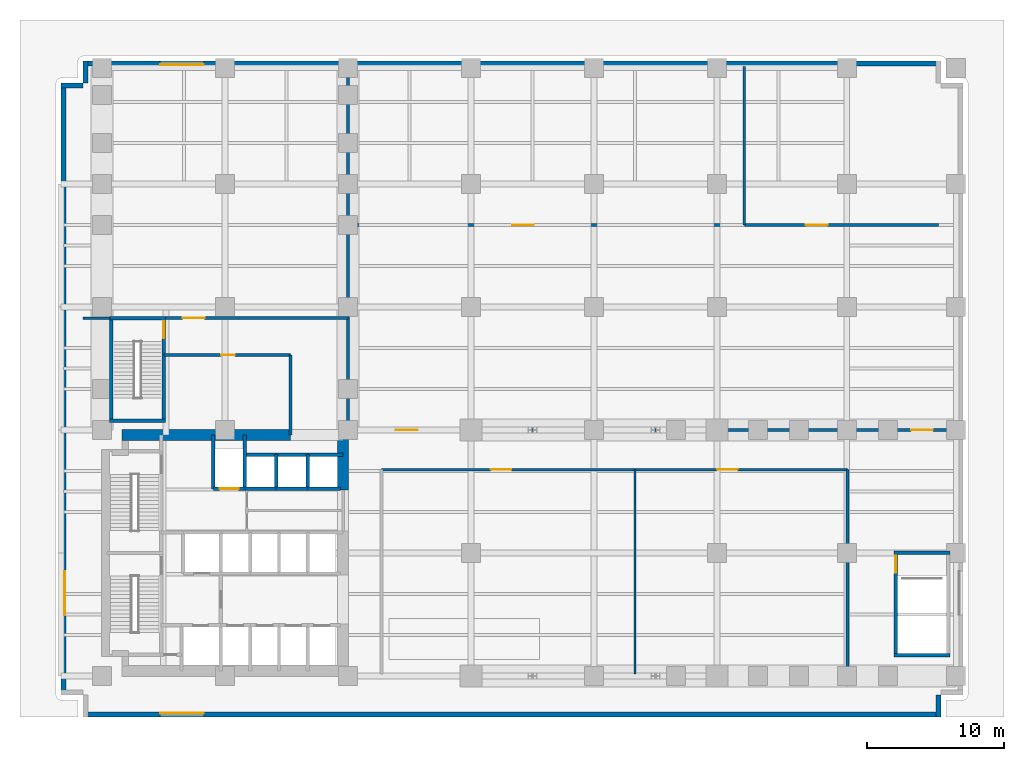
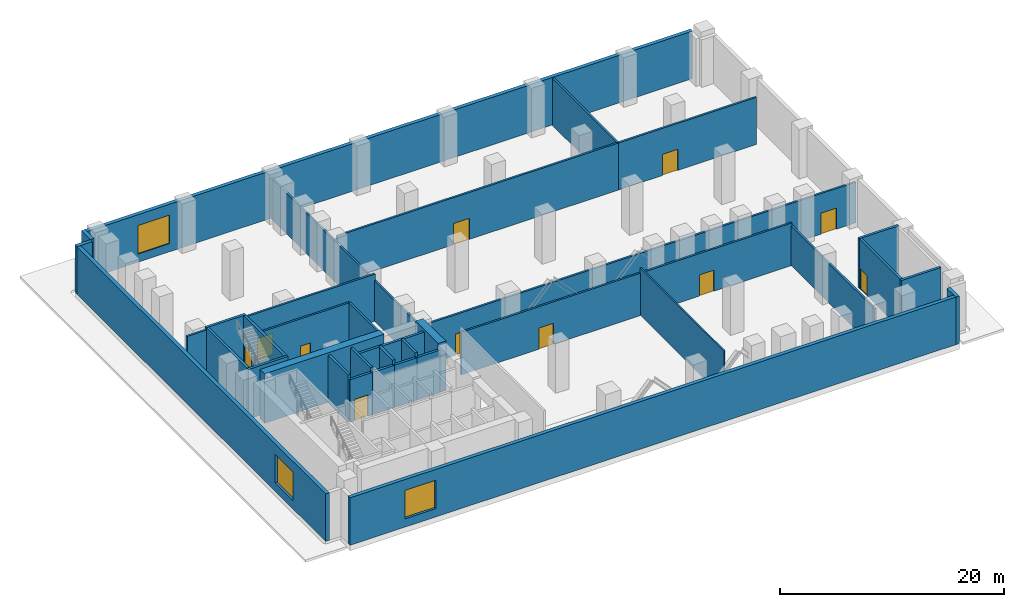
# One storey, part 6 of 8: 37 walls, 11 doors, 3 windows, 14 openings.
"""IFC4 building model written with IfcOpenShell, lengths in metres."""

from ifc_helpers import new_model, si_unit, direction, frame, frame_2d, origin, place, context, subcontext, project, spatial, rectangle, extrude, material, layer, layer_set, type_object, element, fill, save


model = new_model("IFC4")

# Units and contexts
model_context = context("Model", 3, precision=1e-05, world=origin(), true_north=direction((0.0, 1.0)))
body_context = subcontext(model_context, "Body", "Model", "MODEL_VIEW")
ifc_project = project(units=[si_unit("LENGTHUNIT", "METRE"), si_unit("AREAUNIT", "SQUARE_METRE"), si_unit("VOLUMEUNIT", "CUBIC_METRE"), si_unit("PLANEANGLEUNIT", "RADIAN"), si_unit("MASSUNIT", "GRAM", prefix="KILO")], contexts=[model_context])

# Site, building, storey
site_placement = place(None, origin())
site = spatial("IfcSite", under=ifc_project, at=site_placement, CompositionType="ELEMENT")
building_placement = place(site_placement, origin())
building = spatial("IfcBuilding", under=site, at=building_placement, Name="Mawjdan Bourse Tower", CompositionType="ELEMENT")
storey_placement = place(building_placement, frame((0.0, 0.0, 16.199951171875)))
storey = spatial("IfcBuildingStorey", under=building, at=storey_placement, Name="L03", CompositionType="ELEMENT", Elevation=16.199951171875)

# Wall, opening, window
ifc_material_1 = material(Name="Brick Masonry Terracotta Red", Category="masonry")
ifc_layer_1 = layer(ifc_material_1, 0.3798828125)
ifc_layer_set_1 = layer_set([ifc_layer_1], Name="Brick Masonry Terracotta Red")
wall_type_1 = type_object("IfcWallType", Name="WL-BRK-RED-380", PredefinedType="STANDARD", material=ifc_layer_set_1)
wall_1_placement = place(storey_placement, frame((4.60009765625, 0.18994140625, 0.0), z_axis=(0.0, 0.0, 1.0), x_axis=(1.0, 0.0, 0.0)))
wall_1 = element("IfcWall", 1, at=wall_1_placement, inside=storey, type_object=wall_type_1, Name="L03 Colocation Brick Wall 1", PredefinedType="STANDARD", context=body_context, shape_type="SweptSolid", body=[
    extrude(rectangle(XDim=62.7998046875, YDim=0.3798828125, at=frame_2d((31.39990234375, 0.0))), origin(), (0.0, 0.0, 1.0), 5.179931640625),
])
opening_1_placement = place(wall_1_placement, frame((5.646240234375, 0.0, 0.89990234375)))
opening_1 = element("IfcOpeningElement", 2, at=opening_1_placement, cuts=wall_1, Name="Opening W-L03-01", PredefinedType="OPENING", context=body_context, shape_type="SweptSolid", body=[
    extrude(rectangle(XDim=3.199951171875, YDim=3.10009765625, at=frame_2d((1.60009765625, 1.550048828125))), frame((0.0, 0.199951171875, 0.0), z_axis=(0.0, -1.0, 0.0), x_axis=(1.0, 0.0, 0.0)), (0.0, 0.0, 1.0), 0.39990234375),
])
ifc_material_2 = material(Name="Solar-Control Clear Double Glazing", Category="glass")
window_type = type_object("IfcWindowType", Name="WN-POD-3200", PartitioningType="SINGLE_PANEL", PredefinedType="WINDOW", material=ifc_material_2)
window_1_placement = place(opening_1_placement, origin())
window_1 = element("IfcWindow", 3, at=window_1_placement, inside=storey, type_object=window_type, Name="L03 Deep-Set Masonry Window W-L03-01", OverallHeight=3.10009765625, OverallWidth=3.199951171875, PartitioningType="SINGLE_PANEL", PredefinedType="WINDOW", context=body_context, shape_type="SweptSolid", body=[
    extrude(rectangle(XDim=3.199951171875, YDim=3.10009765625, at=frame_2d((1.60009765625, 1.550048828125))), frame((0.0, 0.110107421875, 0.0), z_axis=(0.0, -1.0, 0.0), x_axis=(1.0, 0.0, 0.0)), (0.0, 0.0, 1.0), 0.06005859375),
])
fill(opening_1, window_1)

# Wall
wall_2_placement = place(storey_placement, frame((67.2099609375, 0.0, 0.0), z_axis=(0.0, 0.0, 1.0), x_axis=(0.0, 1.0, 0.0)))
element("IfcWall", 4, at=wall_2_placement, inside=storey, type_object=wall_type_1, Name="L03 Colocation Brick Wall 2", PredefinedType="STANDARD", context=body_context, shape_type="SweptSolid", body=[
    extrude(rectangle(XDim=1.60009765625, YDim=0.3798828125, at=frame_2d((0.800048828125, 0.0))), origin(), (0.0, 0.0, 1.0), 5.179931640625),
])

# Wall, opening, window
wall_3_placement = place(storey_placement, frame((67.39990234375, 47.81005859375, 0.0), z_axis=(0.0, 0.0, 1.0), x_axis=(-1.0, 0.0, 0.0)))
wall_3 = element("IfcWall", 5, at=wall_3_placement, inside=storey, type_object=wall_type_1, Name="L03 Colocation Brick Wall 7", PredefinedType="STANDARD", context=body_context, shape_type="SweptSolid", body=[
    extrude(rectangle(XDim=62.7998046875, YDim=0.3798828125, at=frame_2d((31.39990234375, 0.0))), origin(), (0.0, 0.0, 1.0), 5.179931640625),
])
opening_2_placement = place(wall_3_placement, frame((53.953857421875, 0.0, 0.89990234375)))
opening_2 = element("IfcOpeningElement", 6, at=opening_2_placement, cuts=wall_3, Name="Opening W-L03-03", PredefinedType="OPENING", context=body_context, shape_type="SweptSolid", body=[
    extrude(rectangle(XDim=3.199951171875, YDim=3.10009765625, at=frame_2d((1.60009765625, 1.550048828125))), frame((0.0, 0.199951171875, 0.0), z_axis=(0.0, -1.0, 0.0), x_axis=(1.0, 0.0, 0.0)), (0.0, 0.0, 1.0), 0.39990234375),
])
window_2_placement = place(opening_2_placement, origin())
window_2 = element("IfcWindow", 7, at=window_2_placement, inside=storey, type_object=window_type, Name="L03 Deep-Set Masonry Window W-L03-03", OverallHeight=3.10009765625, OverallWidth=3.199951171875, PartitioningType="SINGLE_PANEL", PredefinedType="WINDOW", context=body_context, shape_type="SweptSolid", body=[
    extrude(rectangle(XDim=3.199951171875, YDim=3.10009765625, at=frame_2d((1.60009765625, 1.550048828125))), frame((0.0, 0.110107421875, 0.0), z_axis=(0.0, -1.0, 0.0), x_axis=(1.0, 0.0, 0.0)), (0.0, 0.0, 1.0), 0.06005859375),
])
fill(opening_2, window_2)

# Walls
for number, where, z_axis, x_axis, name in (
    (8, (4.7900390625, 48.0, 0.0), (0.0, 0.0, 1.0), (0.0, -1.0, 0.0), "L03 Colocation Brick Wall 8"),
    (9, (4.60009765625, 46.2099609375, 0.0), (0.0, 0.0, 1.0), (-1.0, 0.0, 0.0), "L03 Colocation Brick Wall 9"),
):
    element("IfcWall", number, at=place(storey_placement, frame(where, z_axis=z_axis, x_axis=x_axis)), inside=storey, type_object=wall_type_1, Name=name, PredefinedType="STANDARD", context=body_context, shape_type="SweptSolid", body=[
        extrude(rectangle(XDim=1.60009765625, YDim=0.3798828125, at=frame_2d((0.800048828125, 0.0))), origin(), (0.0, 0.0, 1.0), 5.179931640625),
    ])

# Wall, opening, window
wall_4_placement = place(storey_placement, frame((3.18994140625, 46.39990234375, 0.0), z_axis=(0.0, 0.0, 1.0), x_axis=(0.0, -1.0, 0.0)))
wall_4 = element("IfcWall", 10, at=wall_4_placement, inside=storey, type_object=wall_type_1, Name="L03 Colocation Brick Wall 10", PredefinedType="STANDARD", context=body_context, shape_type="SweptSolid", body=[
    extrude(rectangle(XDim=44.7998046875, YDim=0.3798828125, at=frame_2d((22.39990234375, 0.0))), origin(), (0.0, 0.0, 1.0), 5.179931640625),
])
opening_3_placement = place(wall_4_placement, frame((35.7333984375, 0.0, 0.89990234375)))
opening_3 = element("IfcOpeningElement", 11, at=opening_3_placement, cuts=wall_4, Name="Opening W-L03-04", PredefinedType="OPENING", context=body_context, shape_type="SweptSolid", body=[
    extrude(rectangle(XDim=3.199951171875, YDim=3.10009765625, at=frame_2d((1.60009765625, 1.550048828125))), frame((0.0, 0.199951171875, 0.0), z_axis=(0.0, -1.0, 0.0), x_axis=(1.0, 0.0, 0.0)), (0.0, 0.0, 1.0), 0.39990234375),
])
window_3_placement = place(opening_3_placement, origin())
window_3 = element("IfcWindow", 12, at=window_3_placement, inside=storey, type_object=window_type, Name="L03 Deep-Set Masonry Window W-L03-04", OverallHeight=3.10009765625, OverallWidth=3.199951171875, PartitioningType="SINGLE_PANEL", PredefinedType="WINDOW", context=body_context, shape_type="SweptSolid", body=[
    extrude(rectangle(XDim=3.199951171875, YDim=3.10009765625, at=frame_2d((1.60009765625, 1.550048828125))), frame((0.0, 0.110107421875, 0.0), z_axis=(0.0, -1.0, 0.0), x_axis=(1.0, 0.0, 0.0)), (0.0, 0.0, 1.0), 0.06005859375),
])
fill(opening_3, window_3)

# Wall, openings, doors
ifc_material_3 = material(Name="Gypsum Fireboard Assembly")
ifc_layer_2 = layer(ifc_material_3, 0.199951171875)
ifc_layer_set_2 = layer_set([ifc_layer_2], Name="Gypsum Fireboard Assembly")
wall_type_2 = type_object("IfcWallType", Name="WL-CMP-200", PredefinedType="PARTITIONING", material=ifc_layer_set_2)
wall_5_placement = place(storey_placement, frame((24.0, 21.0, 0.0), z_axis=(0.0, 0.0, 1.0), x_axis=(1.0, 0.0, 0.0)))
wall_5 = element("IfcWall", 13, at=wall_5_placement, inside=storey, type_object=wall_type_2, Name="L03 L03 Transfer Truss & Colocation South Firewall", PredefinedType="PARTITIONING", context=body_context, shape_type="SweptSolid", body=[
    extrude(rectangle(XDim=44.7900390625, YDim=0.199951171875, at=frame_2d((22.39501953125, 0.0))), origin(), (0.0, 0.0, 1.0), 4.43408203125),
])
opening_4_placement = place(wall_5_placement, frame((3.5, 0.0, 0.0)))
opening_4 = element("IfcOpeningElement", 14, at=opening_4_placement, cuts=wall_5, Name="Opening CD-L03-18", PredefinedType="OPENING", context=body_context, shape_type="SweptSolid", body=[
    extrude(rectangle(XDim=1.60009765625, YDim=2.300048828125, at=frame_2d((0.800048828125, 1.14990234375))), frame((0.0, 0.10986328125, 0.0), z_axis=(0.0, -1.0, 0.0), x_axis=(1.0, 0.0, 0.0)), (0.0, 0.0, 1.0), 0.219970703125),
])
opening_5_placement = place(wall_5_placement, frame((41.199951171875, 0.0, 0.0)))
opening_5 = element("IfcOpeningElement", 15, at=opening_5_placement, cuts=wall_5, Name="Opening CD-L03-19", PredefinedType="OPENING", context=body_context, shape_type="SweptSolid", body=[
    extrude(rectangle(XDim=1.60009765625, YDim=2.300048828125, at=frame_2d((0.800048828125, 1.14990234375))), frame((0.0, 0.10986328125, 0.0), z_axis=(0.0, -1.0, 0.0), x_axis=(1.0, 0.0, 0.0)), (0.0, 0.0, 1.0), 0.219970703125),
])
ifc_material_4 = material(Name="Fire-Rated Acoustic Steel", Category="steel")
door_type_1 = type_object("IfcDoorType", Name="FD-PLT-1600", OperationType="DOUBLE_DOOR_SINGLE_SWING", PredefinedType="DOOR", material=ifc_material_4)
door_1_placement = place(opening_4_placement, origin())
door_1 = element("IfcDoor", 16, at=door_1_placement, inside=storey, type_object=door_type_1, Name="L03 Colocation Data Hall Door 1 CD-L03-18", OperationType="DOUBLE_DOOR_SINGLE_SWING", OverallHeight=2.300048828125, OverallWidth=1.60009765625, PredefinedType="DOOR", context=body_context, shape_type="SweptSolid", body=[
    extrude(rectangle(XDim=1.60009765625, YDim=2.300048828125, at=frame_2d((0.800048828125, 1.14990234375))), frame((0.0, 0.02490234375, 0.0), z_axis=(0.0, -1.0, 0.0), x_axis=(1.0, 0.0, 0.0)), (0.0, 0.0, 1.0), 0.050048828125),
])
fill(opening_4, door_1)
door_2_placement = place(opening_5_placement, origin())
door_2 = element("IfcDoor", 17, at=door_2_placement, inside=storey, type_object=door_type_1, Name="L03 Colocation Data Hall Door 2 CD-L03-19", OperationType="DOUBLE_DOOR_SINGLE_SWING", OverallHeight=2.300048828125, OverallWidth=1.60009765625, PredefinedType="DOOR", context=body_context, shape_type="SweptSolid", body=[
    extrude(rectangle(XDim=1.60009765625, YDim=2.300048828125, at=frame_2d((0.800048828125, 1.14990234375))), frame((0.0, 0.02490234375, 0.0), z_axis=(0.0, -1.0, 0.0), x_axis=(1.0, 0.0, 0.0)), (0.0, 0.0, 1.0), 0.050048828125),
])
fill(opening_5, door_2)

# Walls
wall_6_placement = place(storey_placement, frame((24.0, 21.0, 0.0), z_axis=(0.0, 0.0, 1.0), x_axis=(0.0, 1.0, 0.0)))
element("IfcWall", 18, at=wall_6_placement, inside=storey, type_object=wall_type_2, Name="L03 L03 West Wing Dividing Firewall", PredefinedType="PARTITIONING", context=body_context, shape_type="SweptSolid", body=[
    extrude(rectangle(XDim=26.580078125, YDim=0.199951171875, at=frame_2d((13.2900390625, 0.0))), origin(), (0.0, 0.0, 1.0), 4.43408203125),
])
wall_7_placement = place(storey_placement, frame((53.0, 36.0, 0.0), z_axis=(0.0, 0.0, 1.0), x_axis=(0.0, 1.0, 0.0)))
element("IfcWall", 19, at=wall_7_placement, inside=storey, type_object=wall_type_2, Name="L03 UPS Split Firewall", PredefinedType="PARTITIONING", context=body_context, shape_type="SweptSolid", body=[
    extrude(rectangle(XDim=11.580078125, YDim=0.199951171875, at=frame_2d((5.7900390625, 0.0))), origin(), (0.0, 0.0, 1.0), 5.130126953125),
])

# Wall, opening, door
wall_8_placement = place(storey_placement, frame((24.0, 36.0, 0.0), z_axis=(0.0, 0.0, 1.0), x_axis=(1.0, 0.0, 0.0)))
wall_8 = element("IfcWall", 20, at=wall_8_placement, inside=storey, type_object=wall_type_2, Name="L03 DR Hall South Wall", PredefinedType="PARTITIONING", context=body_context, shape_type="SweptSolid", body=[
    extrude(rectangle(XDim=29.0, YDim=0.199951171875, at=frame_2d((14.5, 0.0))), origin(), (0.0, 0.0, 1.0), 5.130126953125),
])
opening_6_placement = place(wall_8_placement, frame((12.0, 0.0, 0.0)))
opening_6 = element("IfcOpeningElement", 21, at=opening_6_placement, cuts=wall_8, Name="Opening CD-L03-20", PredefinedType="OPENING", context=body_context, shape_type="SweptSolid", body=[
    extrude(rectangle(XDim=1.60009765625, YDim=2.300048828125, at=frame_2d((0.800048828125, 1.14990234375))), frame((0.0, 0.10986328125, 0.0), z_axis=(0.0, -1.0, 0.0), x_axis=(1.0, 0.0, 0.0)), (0.0, 0.0, 1.0), 0.219970703125),
])
door_3_placement = place(opening_6_placement, origin())
door_3 = element("IfcDoor", 22, at=door_3_placement, inside=storey, type_object=door_type_1, Name="L03 DR Server Hall Door CD-L03-20", OperationType="DOUBLE_DOOR_SINGLE_SWING", OverallHeight=2.300048828125, OverallWidth=1.60009765625, PredefinedType="DOOR", context=body_context, shape_type="SweptSolid", body=[
    extrude(rectangle(XDim=1.60009765625, YDim=2.300048828125, at=frame_2d((0.800048828125, 1.14990234375))), frame((0.0, 0.02490234375, 0.0), z_axis=(0.0, -1.0, 0.0), x_axis=(1.0, 0.0, 0.0)), (0.0, 0.0, 1.0), 0.050048828125),
])
fill(opening_6, door_3)

wall_9_placement = place(storey_placement, frame((53.0, 36.0, 0.0), z_axis=(0.0, 0.0, 1.0), x_axis=(1.0, 0.0, 0.0)))
wall_9 = element("IfcWall", 23, at=wall_9_placement, inside=storey, type_object=wall_type_2, Name="L03 UPS South Wall", PredefinedType="PARTITIONING", context=body_context, shape_type="SweptSolid", body=[
    extrude(rectangle(XDim=14.199951171875, YDim=0.199951171875, at=frame_2d((7.10009765625, 0.0))), origin(), (0.0, 0.0, 1.0), 5.130126953125),
])
opening_7_placement = place(wall_9_placement, frame((4.5, 0.0, 0.0)))
opening_7 = element("IfcOpeningElement", 24, at=opening_7_placement, cuts=wall_9, Name="Opening CD-L03-21", PredefinedType="OPENING", context=body_context, shape_type="SweptSolid", body=[
    extrude(rectangle(XDim=1.60009765625, YDim=2.300048828125, at=frame_2d((0.800048828125, 1.14990234375))), frame((0.0, 0.10986328125, 0.0), z_axis=(0.0, -1.0, 0.0), x_axis=(1.0, 0.0, 0.0)), (0.0, 0.0, 1.0), 0.219970703125),
])
door_4_placement = place(opening_7_placement, origin())
door_4 = element("IfcDoor", 25, at=door_4_placement, inside=storey, type_object=door_type_1, Name="L03 UPS Plant Door CD-L03-21", OperationType="DOUBLE_DOOR_SINGLE_SWING", OverallHeight=2.300048828125, OverallWidth=1.60009765625, PredefinedType="DOOR", context=body_context, shape_type="SweptSolid", body=[
    extrude(rectangle(XDim=1.60009765625, YDim=2.300048828125, at=frame_2d((0.800048828125, 1.14990234375))), frame((0.0, 0.02490234375, 0.0), z_axis=(0.0, -1.0, 0.0), x_axis=(1.0, 0.0, 0.0)), (0.0, 0.0, 1.0), 0.050048828125),
])
fill(opening_7, door_4)

# Wall
wall_10_placement = place(storey_placement, frame((60.550048828125, 3.14990234375, 0.0), z_axis=(0.0, 0.0, 1.0), x_axis=(0.0, 1.0, 0.0)))
element("IfcWall", 26, at=wall_10_placement, inside=storey, type_object=wall_type_2, Name="L03 NOC East ST6 Corridor Wall", PredefinedType="PARTITIONING", context=body_context, shape_type="SweptSolid", body=[
    extrude(rectangle(XDim=14.9501953125, YDim=0.199951171875, at=frame_2d((7.47509765625, 0.0))), origin(), (0.0, 0.0, 1.0), 4.31396484375),
])

# Wall, opening, door
wall_11_placement = place(storey_placement, frame((26.449951171875, 18.10009765625, 0.0), z_axis=(0.0, 0.0, 1.0), x_axis=(1.0, 0.0, 0.0)))
wall_11 = element("IfcWall", 27, at=wall_11_placement, inside=storey, type_object=wall_type_2, Name="L03 Surveillance North Wall", PredefinedType="PARTITIONING", context=body_context, shape_type="SweptSolid", body=[
    extrude(rectangle(XDim=18.550048828125, YDim=0.199951171875, at=frame_2d((9.27490234375, 0.0))), origin(), (0.0, 0.0, 1.0), 4.6259765625),
])
opening_8_placement = place(wall_11_placement, frame((8.0, 0.0, 0.0)))
opening_8 = element("IfcOpeningElement", 28, at=opening_8_placement, cuts=wall_11, Name="Opening D-L03-22", PredefinedType="OPENING", context=body_context, shape_type="SweptSolid", body=[
    extrude(rectangle(XDim=1.5, YDim=2.300048828125, at=frame_2d((0.75, 1.14990234375))), frame((0.0, 0.10986328125, 0.0), z_axis=(0.0, -1.0, 0.0), x_axis=(1.0, 0.0, 0.0)), (0.0, 0.0, 1.0), 0.219970703125),
])
ifc_material_5 = material(Name="Acoustic Glazed Timber", Category="wood")
door_type_2 = type_object("IfcDoorType", Name="DR-CNF-1500", OperationType="DOUBLE_DOOR_SINGLE_SWING", PredefinedType="DOOR", material=ifc_material_5)
door_5_placement = place(opening_8_placement, origin())
door_5 = element("IfcDoor", 29, at=door_5_placement, inside=storey, type_object=door_type_2, Name="L03 Surveillance Centre Door D-L03-22", OperationType="DOUBLE_DOOR_SINGLE_SWING", OverallHeight=2.300048828125, OverallWidth=1.5, PredefinedType="DOOR", context=body_context, shape_type="SweptSolid", body=[
    extrude(rectangle(XDim=1.5, YDim=2.300048828125, at=frame_2d((0.75, 1.14990234375))), frame((0.0, 0.02490234375, 0.0), z_axis=(0.0, -1.0, 0.0), x_axis=(1.0, 0.0, 0.0)), (0.0, 0.0, 1.0), 0.050048828125),
])
fill(opening_8, door_5)

wall_12_placement = place(storey_placement, frame((45.0, 18.10009765625, 0.0), z_axis=(0.0, 0.0, 1.0), x_axis=(1.0, 0.0, 0.0)))
wall_12 = element("IfcWall", 30, at=wall_12_placement, inside=storey, type_object=wall_type_2, Name="L03 NOC North Wall", PredefinedType="PARTITIONING", context=body_context, shape_type="SweptSolid", body=[
    extrude(rectangle(XDim=15.550048828125, YDim=0.199951171875, at=frame_2d((7.77490234375, 0.0))), origin(), (0.0, 0.0, 1.0), 4.6259765625),
])
opening_9_placement = place(wall_12_placement, frame((6.0, 0.0, 0.0)))
opening_9 = element("IfcOpeningElement", 31, at=opening_9_placement, cuts=wall_12, Name="Opening D-L03-23", PredefinedType="OPENING", context=body_context, shape_type="SweptSolid", body=[
    extrude(rectangle(XDim=1.5, YDim=2.300048828125, at=frame_2d((0.75, 1.14990234375))), frame((0.0, 0.10986328125, 0.0), z_axis=(0.0, -1.0, 0.0), x_axis=(1.0, 0.0, 0.0)), (0.0, 0.0, 1.0), 0.219970703125),
])
door_6_placement = place(opening_9_placement, origin())
door_6 = element("IfcDoor", 32, at=door_6_placement, inside=storey, type_object=door_type_2, Name="L03 NOC Suite Door D-L03-23", OperationType="DOUBLE_DOOR_SINGLE_SWING", OverallHeight=2.300048828125, OverallWidth=1.5, PredefinedType="DOOR", context=body_context, shape_type="SweptSolid", body=[
    extrude(rectangle(XDim=1.5, YDim=2.300048828125, at=frame_2d((0.75, 1.14990234375))), frame((0.0, 0.02490234375, 0.0), z_axis=(0.0, -1.0, 0.0), x_axis=(1.0, 0.0, 0.0)), (0.0, 0.0, 1.0), 0.050048828125),
])
fill(opening_9, door_6)

wall_13_placement = place(storey_placement, frame((10.52001953125, 26.47998046875, 0.0), z_axis=(0.0, 0.0, 1.0), x_axis=(1.0, 0.0, 0.0)))
wall_13 = element("IfcWall", 33, at=wall_13_placement, inside=storey, type_object=wall_type_2, Name="L03 Network Operations Control North Wall", PredefinedType="PARTITIONING", context=body_context, shape_type="SweptSolid", body=[
    extrude(rectangle(XDim=9.280029296875, YDim=0.199951171875, at=frame_2d((4.64013671875, 0.0))), origin(), (0.0, 0.0, 1.0), 5.130126953125),
])
opening_10_placement = place(wall_13_placement, frame((4.199951171875, 0.0, 0.0)))
opening_10 = element("IfcOpeningElement", 34, at=opening_10_placement, cuts=wall_13, Name="Opening D-L03-24", PredefinedType="OPENING", context=body_context, shape_type="SweptSolid", body=[
    extrude(rectangle(XDim=1.0, YDim=2.14990234375, at=frame_2d((0.5, 1.074951171875))), frame((0.0, 0.10986328125, 0.0), z_axis=(0.0, -1.0, 0.0), x_axis=(1.0, 0.0, 0.0)), (0.0, 0.0, 1.0), 0.219970703125),
])
ifc_material_6 = material(Name="Hardwood Acoustic Leaf", Category="wood")
door_type_3 = type_object("IfcDoorType", Name="DR-OFC-1000", OperationType="NOTDEFINED", PredefinedType="DOOR", material=ifc_material_6)
door_7_placement = place(opening_10_placement, origin())
door_7 = element("IfcDoor", 35, at=door_7_placement, inside=storey, type_object=door_type_3, Name="L03 Network Operations Control Office Door D-L03-24", OperationType="SINGLE_SWING_RIGHT", OverallHeight=2.14990234375, OverallWidth=1.0, PredefinedType="DOOR", context=body_context, shape_type="SweptSolid", body=[
    extrude(rectangle(XDim=1.0, YDim=2.14990234375, at=frame_2d((0.5, 1.074951171875))), frame((0.0, 0.02490234375, 0.0), z_axis=(0.0, -1.0, 0.0), x_axis=(1.0, 0.0, 0.0)), (0.0, 0.0, 1.0), 0.050048828125),
])
fill(opening_10, door_7)

# Walls
wall_14_placement = place(storey_placement, frame((19.800048828125, 20.64990234375, 0.0), z_axis=(0.0, 0.0, 1.0), x_axis=(0.0, 1.0, 0.0)))
element("IfcWall", 36, at=wall_14_placement, inside=storey, type_object=wall_type_2, Name="L03 Network Operations Control East Wall", PredefinedType="PARTITIONING", context=body_context, shape_type="SweptSolid", body=[
    extrude(rectangle(XDim=5.830078125, YDim=0.199951171875, at=frame_2d((2.9150390625, 0.0))), origin(), (0.0, 0.0, 1.0), 5.130126953125),
])
wall_15_placement = place(storey_placement, frame((4.60009765625, 29.179931640625, 0.0), z_axis=(0.0, 0.0, 1.0), x_axis=(1.0, 0.0, 0.0)))
element("IfcWall", 37, at=wall_15_placement, inside=storey, type_object=wall_type_2, Name="L03 Meet-Me Room South-West Wall", PredefinedType="PARTITIONING", context=body_context, shape_type="SweptSolid", body=[
    extrude(rectangle(XDim=1.969970703125, YDim=0.199951171875, at=frame_2d((0.98486328125, 0.0))), origin(), (0.0, 0.0, 1.0), 5.130126953125),
])

# Wall, opening, door
wall_16_placement = place(storey_placement, frame((10.6298828125, 29.199951171875, 0.0), z_axis=(0.0, 0.0, 1.0), x_axis=(1.0, 0.0, 0.0)))
wall_16 = element("IfcWall", 38, at=wall_16_placement, inside=storey, type_object=wall_type_2, Name="L03 Meet-Me Room South Wall", PredefinedType="PARTITIONING", context=body_context, shape_type="SweptSolid", body=[
    extrude(rectangle(XDim=13.3701171875, YDim=0.199951171875, at=frame_2d((6.68505859375, 0.0))), origin(), (0.0, 0.0, 1.0), 5.130126953125),
])
opening_11_placement = place(wall_16_placement, frame((1.27001953125, 0.0, 0.0)))
opening_11 = element("IfcOpeningElement", 39, at=opening_11_placement, cuts=wall_16, Name="Opening CD-L03-25", PredefinedType="OPENING", context=body_context, shape_type="SweptSolid", body=[
    extrude(rectangle(XDim=1.60009765625, YDim=2.300048828125, at=frame_2d((0.800048828125, 1.14990234375))), frame((0.0, 0.10986328125, 0.0), z_axis=(0.0, -1.0, 0.0), x_axis=(1.0, 0.0, 0.0)), (0.0, 0.0, 1.0), 0.219970703125),
])
door_8_placement = place(opening_11_placement, origin())
door_8 = element("IfcDoor", 40, at=door_8_placement, inside=storey, type_object=door_type_1, Name="L03 Meet-Me Room Door CD-L03-25", OperationType="DOUBLE_DOOR_SINGLE_SWING", OverallHeight=2.300048828125, OverallWidth=1.60009765625, PredefinedType="DOOR", context=body_context, shape_type="SweptSolid", body=[
    extrude(rectangle(XDim=1.60009765625, YDim=2.300048828125, at=frame_2d((0.800048828125, 1.14990234375))), frame((0.0, 0.02490234375, 0.0), z_axis=(0.0, -1.0, 0.0), x_axis=(1.0, 0.0, 0.0)), (0.0, 0.0, 1.0), 0.050048828125),
])
fill(opening_11, door_8)

# Walls
ifc_material_7 = material(Name="Concrete C80/95", Category="concrete")
ifc_layer_3 = layer(ifc_material_7, 0.800048828125)
ifc_layer_set_3 = layer_set([ifc_layer_3], Name="Concrete C80/95")
wall_type_3 = type_object("IfcWallType", Name="WL-CORE-800", PredefinedType="SHEAR", material=ifc_layer_set_3)
wall_17_placement = place(storey_placement, frame((7.47509765625, 20.64990234375, 0.0), z_axis=(0.0, 0.0, 1.0), x_axis=(1.0, 0.0, 0.0)))
element("IfcWall", 41, at=wall_17_placement, inside=storey, type_object=wall_type_3, Name="L03 Rear Core Shear Wall N", PredefinedType="SHEAR", context=body_context, shape_type="SweptSolid", body=[
    extrude(rectangle(XDim=12.324951171875, YDim=0.800048828125, at=frame_2d((6.16259765625, 0.0))), origin(), (0.0, 0.0, 1.0), 5.400146484375),
])
wall_18_placement = place(storey_placement, frame((23.64990234375, 16.60009765625, 0.0), z_axis=(0.0, 0.0, 1.0), x_axis=(0.0, 1.0, 0.0)))
element("IfcWall", 42, at=wall_18_placement, inside=storey, type_object=wall_type_3, Name="L03 Rear Core Shear Wall E3", PredefinedType="SHEAR", context=body_context, shape_type="SweptSolid", body=[
    extrude(rectangle(XDim=4.0498046875, YDim=0.800048828125, at=frame_2d((2.02490234375, 0.0))), origin(), (0.0, 0.0, 1.0), 5.400146484375),
])
ifc_material_8 = material(Name="Gypsum Acoustic Partition")
ifc_layer_4 = layer(ifc_material_8, 0.14990234375)
ifc_layer_set_4 = layer_set([ifc_layer_4], Name="Gypsum Acoustic Partition")
wall_type_4 = type_object("IfcWallType", Name="WL-PRT-150", PredefinedType="PARTITIONING", material=ifc_layer_set_4)
wall_19_placement = place(storey_placement, frame((45.0, 3.14990234375, 0.0), z_axis=(0.0, 0.0, 1.0), x_axis=(0.0, 1.0, 0.0)))
element("IfcWall", 43, at=wall_19_placement, inside=storey, type_object=wall_type_4, Name="L03 Surveillance / NOC Split Wall", PredefinedType="PARTITIONING", context=body_context, shape_type="SweptSolid", body=[
    extrude(rectangle(XDim=14.9501953125, YDim=0.14990234375, at=frame_2d((7.47509765625, 0.0))), origin(), (0.0, 0.0, 1.0), 5.130126953125),
])

# Wall, opening, door
ifc_material_9 = material(Name="Concrete C50/60", Category="concrete")
ifc_layer_5 = layer(ifc_material_9, 0.25)
ifc_layer_set_5 = layer_set([ifc_layer_5], Name="Concrete C50/60")
wall_type_5 = type_object("IfcWallType", Name="WL-SHFT-250", PredefinedType="PARTITIONING", material=ifc_layer_set_5)
wall_20_placement = place(storey_placement, frame((14.14990234375, 16.699951171875, 0.0), z_axis=(0.0, 0.0, 1.0), x_axis=(1.0, 0.0, 0.0)))
wall_20 = element("IfcWall", 44, at=wall_20_placement, inside=storey, type_object=wall_type_5, Name="L03 SVL-01 Front Shaft Wall", PredefinedType="PARTITIONING", context=body_context, shape_type="SweptSolid", body=[
    extrude(rectangle(XDim=2.300048828125, YDim=0.25, at=frame_2d((1.14990234375, 0.0))), origin(), (0.0, 0.0, 1.0), 4.6259765625),
])
opening_12_placement = place(wall_20_placement, frame((0.449951171875, 0.0, 0.0)))
opening_12 = element("IfcOpeningElement", 45, at=opening_12_placement, cuts=wall_20, Name="Opening LD-L03-09", PredefinedType="OPENING", context=body_context, shape_type="SweptSolid", body=[
    extrude(rectangle(XDim=1.39990234375, YDim=2.35009765625, at=frame_2d((0.699951171875, 1.175048828125))), frame((0.0, 0.135009765625, 0.0), z_axis=(0.0, -1.0, 0.0), x_axis=(1.0, 0.0, 0.0)), (0.0, 0.0, 1.0), 0.27001953125),
])
ifc_material_10 = material(Name="Heavy-Duty Stainless Steel", Category="steel")
door_type_4 = type_object("IfcDoorType", Name="LD-SRV-1400", OperationType="DOUBLE_DOOR_SLIDING", PredefinedType="DOOR", material=ifc_material_10)
door_9_placement = place(opening_12_placement, origin())
door_9 = element("IfcDoor", 46, at=door_9_placement, inside=storey, type_object=door_type_4, Name="L03 Service Lift SVL-01 Landing Door LD-L03-09", OperationType="DOUBLE_DOOR_SLIDING", OverallHeight=2.35009765625, OverallWidth=1.39990234375, PredefinedType="DOOR", context=body_context, shape_type="SweptSolid", body=[
    extrude(rectangle(XDim=1.39990234375, YDim=2.35009765625, at=frame_2d((0.699951171875, 1.175048828125))), frame((0.0, 0.02490234375, 0.0), z_axis=(0.0, -1.0, 0.0), x_axis=(1.0, 0.0, 0.0)), (0.0, 0.0, 1.0), 0.050048828125),
])
fill(opening_12, door_9)

# Walls
for number, where, z_axis, x_axis, name in (
    (47, (14.14990234375, 16.699951171875, 0.0), (0.0, 0.0, 1.0), (0.0, 1.0, 0.0), "L03 SVL-01 West Shaft Wall"),
    (48, (16.449951171875, 16.699951171875, 0.0), (0.0, 0.0, 1.0), (0.0, 1.0, 0.0), "L03 SVL-01 East Shaft Wall"),
):
    element("IfcWall", number, at=place(storey_placement, frame(where, z_axis=z_axis, x_axis=x_axis)), inside=storey, type_object=wall_type_5, Name=name, PredefinedType="PARTITIONING", context=body_context, shape_type="SweptSolid", body=[
        extrude(rectangle(XDim=3.949951171875, YDim=0.25, at=frame_2d((1.97509765625, 0.0))), origin(), (0.0, 0.0, 1.0), 5.130126953125),
    ])
wall_21_placement = place(storey_placement, frame((16.449951171875, 16.699951171875, 0.0), z_axis=(0.0, 0.0, 1.0), x_axis=(1.0, 0.0, 0.0)))
element("IfcWall", 49, at=wall_21_placement, inside=storey, type_object=wall_type_5, Name="L03 PH-01 Front Wall", PredefinedType="PARTITIONING", context=body_context, shape_type="SweptSolid", body=[
    extrude(rectangle(XDim=2.300048828125, YDim=0.25, at=frame_2d((1.14990234375, 0.0))), origin(), (0.0, 0.0, 1.0), 4.6259765625),
])
wall_22_placement = place(storey_placement, frame((18.75, 16.699951171875, 0.0), z_axis=(0.0, 0.0, 1.0), x_axis=(0.0, 1.0, 0.0)))
element("IfcWall", 50, at=wall_22_placement, inside=storey, type_object=wall_type_5, Name="L03 PH-01 Divider Wall", PredefinedType="PARTITIONING", context=body_context, shape_type="SweptSolid", body=[
    extrude(rectangle(XDim=2.5, YDim=0.25, at=frame_2d((1.25, 0.0))), origin(), (0.0, 0.0, 1.0), 5.130126953125),
])
wall_23_placement = place(storey_placement, frame((18.75, 16.699951171875, 0.0), z_axis=(0.0, 0.0, 1.0), x_axis=(1.0, 0.0, 0.0)))
element("IfcWall", 51, at=wall_23_placement, inside=storey, type_object=wall_type_5, Name="L03 PH-02 Front Wall", PredefinedType="PARTITIONING", context=body_context, shape_type="SweptSolid", body=[
    extrude(rectangle(XDim=2.300048828125, YDim=0.25, at=frame_2d((1.14990234375, 0.0))), origin(), (0.0, 0.0, 1.0), 4.6259765625),
])
wall_24_placement = place(storey_placement, frame((21.050048828125, 16.699951171875, 0.0), z_axis=(0.0, 0.0, 1.0), x_axis=(0.0, 1.0, 0.0)))
element("IfcWall", 52, at=wall_24_placement, inside=storey, type_object=wall_type_5, Name="L03 PH-02 Divider Wall", PredefinedType="PARTITIONING", context=body_context, shape_type="SweptSolid", body=[
    extrude(rectangle(XDim=2.5, YDim=0.25, at=frame_2d((1.25, 0.0))), origin(), (0.0, 0.0, 1.0), 5.130126953125),
])
wall_25_placement = place(storey_placement, frame((21.050048828125, 16.699951171875, 0.0), z_axis=(0.0, 0.0, 1.0), x_axis=(1.0, 0.0, 0.0)))
element("IfcWall", 53, at=wall_25_placement, inside=storey, type_object=wall_type_5, Name="L03 PH-03 Front Wall", PredefinedType="PARTITIONING", context=body_context, shape_type="SweptSolid", body=[
    extrude(rectangle(XDim=2.39990234375, YDim=0.25, at=frame_2d((1.199951171875, 0.0))), origin(), (0.0, 0.0, 1.0), 4.6259765625),
])
wall_26_placement = place(storey_placement, frame((16.449951171875, 19.199951171875, 0.0), z_axis=(0.0, 0.0, 1.0), x_axis=(1.0, 0.0, 0.0)))
element("IfcWall", 54, at=wall_26_placement, inside=storey, type_object=wall_type_5, Name="L03 PH Bank North Shaft Back Wall", PredefinedType="PARTITIONING", context=body_context, shape_type="SweptSolid", body=[
    extrude(rectangle(XDim=7.199951171875, YDim=0.25, at=frame_2d((3.60009765625, 0.0))), origin(), (0.0, 0.0, 1.0), 5.130126953125),
])
ifc_layer_6 = layer(ifc_material_9, 0.25)
ifc_layer_set_6 = layer_set([ifc_layer_6], Name="Concrete C50/60")
wall_type_6 = type_object("IfcWallType", Name="WL-STRW-250", PredefinedType="SHEAR", material=ifc_layer_set_6)
for number, where, z_axis, x_axis, name in (
    (55, (6.554931640625, 21.679931640625, 0.0), (0.0, 0.0, 1.0), (1.0, 0.0, 0.0), "L03 ST3 South Shaft Wall"),
    (56, (6.554931640625, 29.179931640625, 0.0), (0.0, 0.0, 1.0), (1.0, 0.0, 0.0), "L03 ST3 North Shaft Wall"),
):
    element("IfcWall", number, at=place(storey_placement, frame(where, z_axis=z_axis, x_axis=x_axis)), inside=storey, type_object=wall_type_6, Name=name, PredefinedType="SHEAR", context=body_context, shape_type="SweptSolid", body=[
        extrude(rectangle(XDim=4.090087890625, YDim=0.25, at=frame_2d((2.044921875, 0.0))), origin(), (0.0, 0.0, 1.0), 5.400146484375),
    ])
wall_27_placement = place(storey_placement, frame((6.679931640625, 21.679931640625, 0.0), z_axis=(0.0, 0.0, 1.0), x_axis=(0.0, 1.0, 0.0)))
element("IfcWall", 57, at=wall_27_placement, inside=storey, type_object=wall_type_6, Name="L03 ST3 West Shaft Wall", PredefinedType="SHEAR", context=body_context, shape_type="SweptSolid", body=[
    extrude(rectangle(XDim=7.5, YDim=0.25, at=frame_2d((3.75, 0.0))), origin(), (0.0, 0.0, 1.0), 5.400146484375),
])

# Wall, opening, door
wall_28_placement = place(storey_placement, frame((10.52001953125, 21.679931640625, 0.0), z_axis=(0.0, 0.0, 1.0), x_axis=(0.0, 1.0, 0.0)))
wall_28 = element("IfcWall", 58, at=wall_28_placement, inside=storey, type_object=wall_type_6, Name="L03 ST3 East Shaft Wall", PredefinedType="SHEAR", context=body_context, shape_type="SweptSolid", body=[
    extrude(rectangle(XDim=7.5, YDim=0.25, at=frame_2d((3.75, 0.0))), origin(), (0.0, 0.0, 1.0), 5.400146484375),
])
opening_13_placement = place(wall_28_placement, frame((6.02001953125, 0.0, 0.0)))
opening_13 = element("IfcOpeningElement", 59, at=opening_13_placement, cuts=wall_28, Name="Opening SD-L03-16", PredefinedType="OPENING", context=body_context, shape_type="SweptSolid", body=[
    extrude(rectangle(XDim=1.25, YDim=2.199951171875, at=frame_2d((0.625, 1.10009765625))), frame((0.0, 0.135009765625, 0.0), z_axis=(0.0, -1.0, 0.0), x_axis=(1.0, 0.0, 0.0)), (0.0, 0.0, 1.0), 0.27001953125),
])
ifc_material_11 = material(Name="Fire-Rated Steel Leaf", Category="steel")
door_type_5 = type_object("IfcDoorType", Name="FD-ST-1250", OperationType="NOTDEFINED", PredefinedType="DOOR", material=ifc_material_11)
door_10_placement = place(opening_13_placement, origin())
door_10 = element("IfcDoor", 60, at=door_10_placement, inside=storey, type_object=door_type_5, Name="L03 Stair ST3 Fire Door SD-L03-16", OperationType="SINGLE_SWING_RIGHT", OverallHeight=2.199951171875, OverallWidth=1.25, PredefinedType="DOOR", context=body_context, shape_type="SweptSolid", body=[
    extrude(rectangle(XDim=1.25, YDim=2.199951171875, at=frame_2d((0.625, 1.10009765625))), frame((0.0, 0.02490234375, 0.0), z_axis=(0.0, -1.0, 0.0), x_axis=(1.0, 0.0, 0.0)), (0.0, 0.0, 1.0), 0.050048828125),
])
fill(opening_13, door_10)

# Walls
for number, where, z_axis, x_axis, name in (
    (61, (63.955078125, 4.530029296875, 0.0), (0.0, 0.0, 1.0), (1.0, 0.0, 0.0), "L03 ST6 South Shaft Wall"),
    (62, (63.955078125, 12.030029296875, 0.0), (0.0, 0.0, 1.0), (1.0, 0.0, 0.0), "L03 ST6 North Shaft Wall"),
):
    element("IfcWall", number, at=place(storey_placement, frame(where, z_axis=z_axis, x_axis=x_axis)), inside=storey, type_object=wall_type_6, Name=name, PredefinedType="SHEAR", context=body_context, shape_type="SweptSolid", body=[
        extrude(rectangle(XDim=4.08984375, YDim=0.25, at=frame_2d((2.044921875, 0.0))), origin(), (0.0, 0.0, 1.0), 5.400146484375),
    ])

# Wall, opening, door
wall_29_placement = place(storey_placement, frame((64.080078125, 4.530029296875, 0.0), z_axis=(0.0, 0.0, 1.0), x_axis=(0.0, 1.0, 0.0)))
wall_29 = element("IfcWall", 63, at=wall_29_placement, inside=storey, type_object=wall_type_6, Name="L03 ST6 West Shaft Wall", PredefinedType="SHEAR", context=body_context, shape_type="SweptSolid", body=[
    extrude(rectangle(XDim=7.5, YDim=0.25, at=frame_2d((3.75, 0.0))), origin(), (0.0, 0.0, 1.0), 5.400146484375),
])
opening_14_placement = place(wall_29_placement, frame((6.02001953125, 0.0, 0.0)))
opening_14 = element("IfcOpeningElement", 64, at=opening_14_placement, cuts=wall_29, Name="Opening SD-L03-17", PredefinedType="OPENING", context=body_context, shape_type="SweptSolid", body=[
    extrude(rectangle(XDim=1.25, YDim=2.199951171875, at=frame_2d((0.625, 1.10009765625))), frame((0.0, 0.135009765625, 0.0), z_axis=(0.0, -1.0, 0.0), x_axis=(1.0, 0.0, 0.0)), (0.0, 0.0, 1.0), 0.27001953125),
])
door_11_placement = place(opening_14_placement, frame((1.25, 0.0, 0.0), z_axis=(0.0, 0.0, 1.0), x_axis=(-1.0, 0.0, 0.0)))
door_11 = element("IfcDoor", 65, at=door_11_placement, inside=storey, type_object=door_type_5, Name="L03 Stair ST6 Fire Door SD-L03-17", OperationType="SINGLE_SWING_LEFT", OverallHeight=2.199951171875, OverallWidth=1.25, PredefinedType="DOOR", context=body_context, shape_type="SweptSolid", body=[
    extrude(rectangle(XDim=1.25, YDim=2.199951171875, at=frame_2d((0.625, 1.10009765625))), frame((0.0, 0.02490234375, 0.0), z_axis=(0.0, -1.0, 0.0), x_axis=(1.0, 0.0, 0.0)), (0.0, 0.0, 1.0), 0.050048828125),
])
fill(opening_14, door_11)

save(model, "model.ifc")
